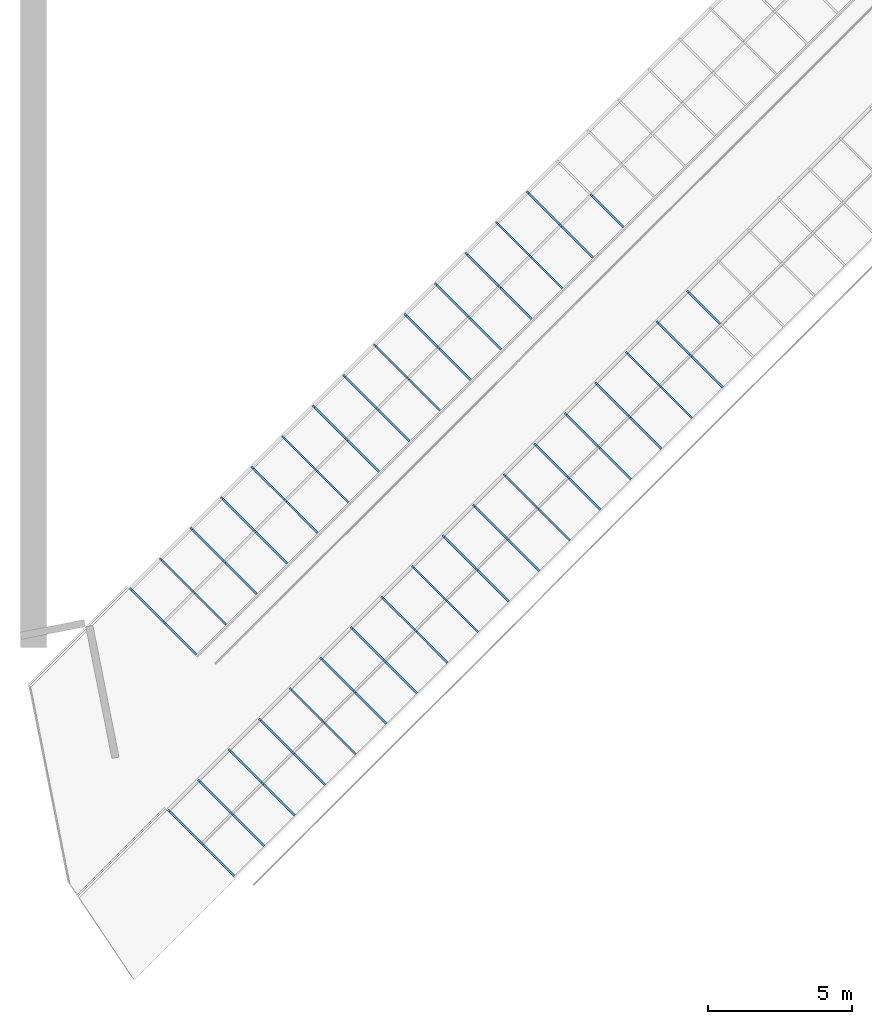
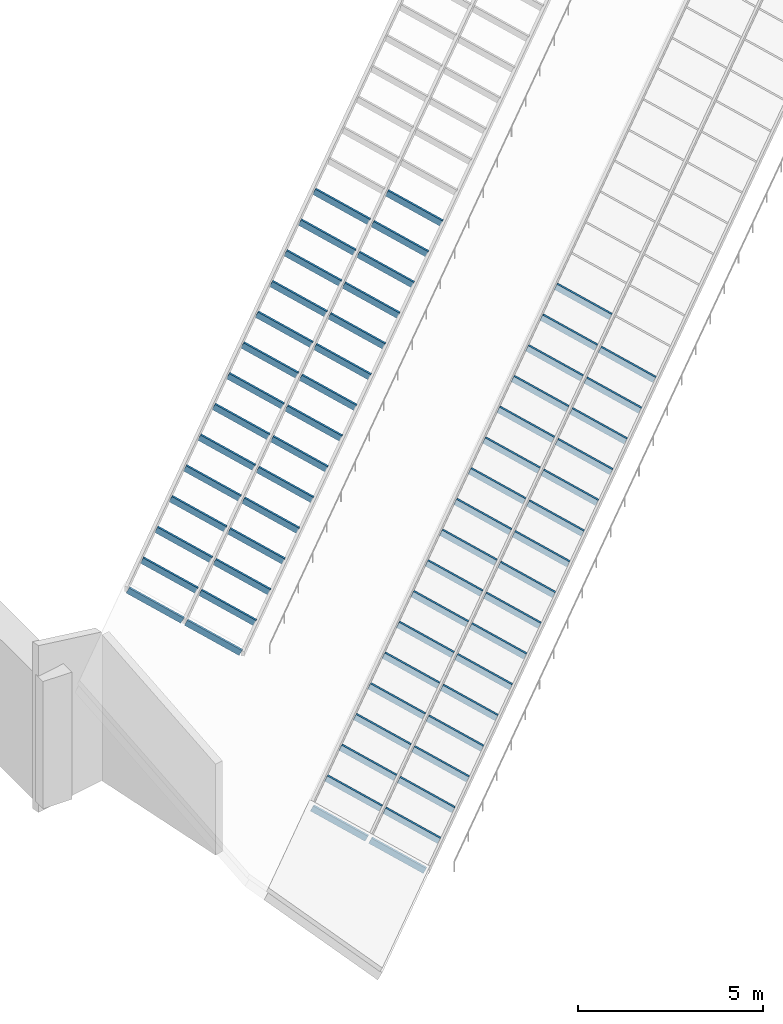
# One storey, part 1 of 7: 64 members, 2 elements without a shape of their own.
"""IFC4 building model written with IfcOpenShell, lengths in metres."""

from ifc_helpers import new_model, si_unit, direction, frame, origin, origin_2d, place, context, subcontext, project, spatial, rectangle, extrude, material, material_profile, profile_set, type_object, element, aggregate, save


model = new_model("IFC4")

# Units and contexts
model_context = context("Model", 3, precision=1e-05, world=origin(), true_north=direction((0.0, 1.0)))
body_context = subcontext(model_context, "Body", "Model", "MODEL_VIEW")
ifc_project = project(units=[si_unit("LENGTHUNIT", "METRE"), si_unit("AREAUNIT", "SQUARE_METRE"), si_unit("VOLUMEUNIT", "CUBIC_METRE"), si_unit("PLANEANGLEUNIT", "RADIAN"), si_unit("MASSUNIT", "GRAM", prefix="KILO")], contexts=[model_context])

# Site, building, storey
site_placement = place(None, origin())
site = spatial("IfcSite", under=ifc_project, at=site_placement, CompositionType="ELEMENT")
building_placement = place(site_placement, origin())
building = spatial("IfcBuilding", under=site, at=building_placement, Name="Hunhe Ridgeline Campus", CompositionType="ELEMENT")
storey_placement = place(building_placement, frame((0.0, 0.0, 315.60009765625)))
storey = spatial("IfcBuildingStorey", under=building, at=storey_placement, Name="L81 Crown", CompositionType="ELEMENT", Elevation=315.60009765625)

# Curtain wall, members
ifc_material = material(Name="Aluminium 6063", Category="aluminium")
curtain_wall_type = type_object("IfcCurtainWallType", Name="Curtain wall CW-6", PredefinedType="NOTDEFINED", material=ifc_material)
curtain_wall_1_placement = place(storey_placement, origin())
curtain_wall_1 = element("IfcCurtainWall", 1, at=curtain_wall_1_placement, inside=storey, type_object=curtain_wall_type, Name="Rooflight 3", PredefinedType="NOTDEFINED")
ifc_material_profile = material_profile(ifc_material, rectangle(XDim=0.070068359375, YDim=0.199951171875, at=origin_2d()))
ifc_profile_set = profile_set([ifc_material_profile], Name="Aluminium 6063")
member_type = type_object("IfcMemberType", Name="CW-6 aluminium mullion", PredefinedType="MULLION", material=ifc_profile_set)
member_1_placement = place(storey_placement, frame((24.325439453125, 62.648681640625, 0.1708984375), z_axis=(-0.639602149067, 0.639602149067, 0.426401432711), x_axis=(-0.707106781187, -0.707106781187, 0.0)))
member_1 = element("IfcMember", 2, at=member_1_placement, type_object=member_type, Name="E-L81 Crown-RL-03/M0-25", PredefinedType="MULLION", context=body_context, shape_type="SweptSolid", body=[
    extrude(rectangle(XDim=0.070068359375, YDim=0.199951171875, at=origin_2d()), origin(), (0.0, 0.0, 1.0), 1.693603515625),
])
member_2_placement = place(storey_placement, frame((23.264892578125, 61.587890625, 0.1708984375), z_axis=(-0.639602149067, 0.639602149067, 0.426401432711), x_axis=(-0.707106781187, -0.707106781187, 0.0)))
member_2 = element("IfcMember", 3, at=member_2_placement, type_object=member_type, Name="E-L81 Crown-RL-03/M0-26", PredefinedType="MULLION", context=body_context, shape_type="SweptSolid", body=[
    extrude(rectangle(XDim=0.070068359375, YDim=0.199951171875, at=origin_2d()), origin(), (0.0, 0.0, 1.0), 1.693603515625),
])
member_3_placement = place(storey_placement, frame((22.2041015625, 60.52734375, 0.1708984375), z_axis=(-0.639602149067, 0.639602149067, 0.426401432711), x_axis=(-0.707106781187, -0.707106781187, 0.0)))
member_3 = element("IfcMember", 4, at=member_3_placement, type_object=member_type, Name="E-L81 Crown-RL-03/M0-27", PredefinedType="MULLION", context=body_context, shape_type="SweptSolid", body=[
    extrude(rectangle(XDim=0.070068359375, YDim=0.199951171875, at=origin_2d()), origin(), (0.0, 0.0, 1.0), 1.693603515625),
])
member_4_placement = place(storey_placement, frame((21.1435546875, 59.466552734375, 0.1708984375), z_axis=(-0.639602149067, 0.639602149067, 0.426401432711), x_axis=(-0.707106781187, -0.707106781187, 0.0)))
member_4 = element("IfcMember", 5, at=member_4_placement, type_object=member_type, Name="E-L81 Crown-RL-03/M0-28", PredefinedType="MULLION", context=body_context, shape_type="SweptSolid", body=[
    extrude(rectangle(XDim=0.070068359375, YDim=0.199951171875, at=origin_2d()), origin(), (0.0, 0.0, 1.0), 1.693603515625),
])
member_5_placement = place(storey_placement, frame((20.0830078125, 58.406005859375, 0.1708984375), z_axis=(-0.639687317978, 0.63954317933, 0.426362119554), x_axis=(-0.707027102695, -0.707186450701, 0.0)))
member_5 = element("IfcMember", 6, at=member_5_placement, type_object=member_type, Name="E-L81 Crown-RL-03/M0-29", PredefinedType="MULLION", context=body_context, shape_type="SweptSolid", body=[
    extrude(rectangle(XDim=0.070068359375, YDim=0.199951171875, at=origin_2d()), origin(), (0.0, 0.0, 1.0), 1.69384765625),
])
member_6_placement = place(storey_placement, frame((19.022216796875, 57.34521484375, 0.1708984375), z_axis=(-0.639602149067, 0.639602149067, 0.426401432711), x_axis=(-0.707106781187, -0.707106781187, 0.0)))
member_6 = element("IfcMember", 7, at=member_6_placement, type_object=member_type, Name="E-L81 Crown-RL-03/M0-30", PredefinedType="MULLION", context=body_context, shape_type="SweptSolid", body=[
    extrude(rectangle(XDim=0.070068359375, YDim=0.199951171875, at=origin_2d()), origin(), (0.0, 0.0, 1.0), 1.693603515625),
])
member_7_placement = place(storey_placement, frame((17.961669921875, 56.28466796875, 0.1708984375), z_axis=(-0.639602149067, 0.639602149067, 0.426401432711), x_axis=(-0.707106781187, -0.707106781187, 0.0)))
member_7 = element("IfcMember", 8, at=member_7_placement, type_object=member_type, Name="E-L81 Crown-RL-03/M0-31", PredefinedType="MULLION", context=body_context, shape_type="SweptSolid", body=[
    extrude(rectangle(XDim=0.070068359375, YDim=0.199951171875, at=origin_2d()), origin(), (0.0, 0.0, 1.0), 1.693603515625),
])
member_8_placement = place(storey_placement, frame((16.90087890625, 55.223876953125, 0.1708984375), z_axis=(-0.639602149067, 0.639602149067, 0.426401432711), x_axis=(-0.707106781187, -0.707106781187, 0.0)))
member_8 = element("IfcMember", 9, at=member_8_placement, type_object=member_type, Name="E-L81 Crown-RL-03/M0-32", PredefinedType="MULLION", context=body_context, shape_type="SweptSolid", body=[
    extrude(rectangle(XDim=0.070068359375, YDim=0.199951171875, at=origin_2d()), origin(), (0.0, 0.0, 1.0), 1.693603515625),
])
member_9_placement = place(storey_placement, frame((15.84033203125, 54.163330078125, 0.1708984375), z_axis=(-0.639602149067, 0.639602149067, 0.426401432711), x_axis=(-0.707106781187, -0.707106781187, 0.0)))
member_9 = element("IfcMember", 10, at=member_9_placement, type_object=member_type, Name="E-L81 Crown-RL-03/M0-33", PredefinedType="MULLION", context=body_context, shape_type="SweptSolid", body=[
    extrude(rectangle(XDim=0.070068359375, YDim=0.199951171875, at=origin_2d()), origin(), (0.0, 0.0, 1.0), 1.693603515625),
])
member_10_placement = place(storey_placement, frame((14.779541015625, 53.1025390625, 0.1708984375), z_axis=(-0.63954317933, 0.639687317978, 0.426362119554), x_axis=(-0.707186450701, -0.707027102695, 0.0)))
member_10 = element("IfcMember", 11, at=member_10_placement, type_object=member_type, Name="E-L81 Crown-RL-03/M0-34", PredefinedType="MULLION", context=body_context, shape_type="SweptSolid", body=[
    extrude(rectangle(XDim=0.070068359375, YDim=0.199951171875, at=origin_2d()), origin(), (0.0, 0.0, 1.0), 1.69384765625),
])
member_11_placement = place(storey_placement, frame((13.718994140625, 52.0419921875, 0.1708984375), z_axis=(-0.639602149067, 0.639602149067, 0.426401432711), x_axis=(-0.707106781187, -0.707106781187, 0.0)))
member_11 = element("IfcMember", 12, at=member_11_placement, type_object=member_type, Name="E-L81 Crown-RL-03/M0-35", PredefinedType="MULLION", context=body_context, shape_type="SweptSolid", body=[
    extrude(rectangle(XDim=0.070068359375, YDim=0.199951171875, at=origin_2d()), origin(), (0.0, 0.0, 1.0), 1.693603515625),
])
member_12_placement = place(storey_placement, frame((12.658203125, 50.9814453125, 0.1708984375), z_axis=(-0.639602149067, 0.639602149067, 0.426401432711), x_axis=(-0.707106781187, -0.707106781187, 0.0)))
member_12 = element("IfcMember", 13, at=member_12_placement, type_object=member_type, Name="E-L81 Crown-RL-03/M0-36", PredefinedType="MULLION", context=body_context, shape_type="SweptSolid", body=[
    extrude(rectangle(XDim=0.070068359375, YDim=0.199951171875, at=origin_2d()), origin(), (0.0, 0.0, 1.0), 1.693603515625),
])
member_13_placement = place(storey_placement, frame((11.59765625, 49.920654296875, 0.1708984375), z_axis=(-0.639602149067, 0.639602149067, 0.426401432711), x_axis=(-0.707106781187, -0.707106781187, 0.0)))
member_13 = element("IfcMember", 14, at=member_13_placement, type_object=member_type, Name="E-L81 Crown-RL-03/M0-37", PredefinedType="MULLION", context=body_context, shape_type="SweptSolid", body=[
    extrude(rectangle(XDim=0.070068359375, YDim=0.199951171875, at=origin_2d()), origin(), (0.0, 0.0, 1.0), 1.693603515625),
])
member_14_placement = place(storey_placement, frame((10.536865234375, 48.860107421875, 0.1708984375), z_axis=(-0.639602149067, 0.639602149067, 0.426401432711), x_axis=(-0.707106781187, -0.707106781187, 0.0)))
member_14 = element("IfcMember", 15, at=member_14_placement, type_object=member_type, Name="E-L81 Crown-RL-03/M0-38", PredefinedType="MULLION", context=body_context, shape_type="SweptSolid", body=[
    extrude(rectangle(XDim=0.070068359375, YDim=0.199951171875, at=origin_2d()), origin(), (0.0, 0.0, 1.0), 1.693603515625),
])
member_15_placement = place(storey_placement, frame((9.476318359375, 47.79931640625, 0.1708984375), z_axis=(-0.639602149067, 0.639602149067, 0.426401432711), x_axis=(-0.707106781187, -0.707106781187, 0.0)))
member_15 = element("IfcMember", 16, at=member_15_placement, type_object=member_type, Name="E-L81 Crown-RL-03/M0-39", PredefinedType="MULLION", context=body_context, shape_type="SweptSolid", body=[
    extrude(rectangle(XDim=0.070068359375, YDim=0.199951171875, at=origin_2d()), origin(), (0.0, 0.0, 1.0), 1.693603515625),
])
member_16_placement = place(storey_placement, frame((8.41552734375, 46.73876953125, 0.1708984375), z_axis=(-0.639602149067, 0.639602149067, 0.426401432711), x_axis=(-0.707106781187, -0.707106781187, 0.0)))
member_16 = element("IfcMember", 17, at=member_16_placement, type_object=member_type, Name="E-L81 Crown-RL-03/M0-40", PredefinedType="MULLION", context=body_context, shape_type="SweptSolid", body=[
    extrude(rectangle(XDim=0.070068359375, YDim=0.199951171875, at=origin_2d()), origin(), (0.0, 0.0, 1.0), 1.693603515625),
])
member_17_placement = place(storey_placement, frame((7.379638671875, 45.702880859375, 0.1708984375), z_axis=(-0.639602149067, 0.639602149067, 0.426401432711), x_axis=(-0.707106781187, -0.707106781187, 0.0)))
member_17 = element("IfcMember", 18, at=member_17_placement, type_object=member_type, Name="E-L81 Crown-RL-03/M0-41", PredefinedType="MULLION", context=body_context, shape_type="SweptSolid", body=[
    extrude(rectangle(XDim=0.070068359375, YDim=0.199951171875, at=origin_2d()), origin(), (0.0, 0.0, 1.0), 1.693603515625),
])
member_18_placement = place(storey_placement, frame((24.232177734375, 64.86328125, 0.9404296875), z_axis=(-0.639602149067, 0.639602149067, 0.426401432711), x_axis=(-0.707106781187, -0.707106781187, 0.0)))
member_18 = element("IfcMember", 19, at=member_18_placement, type_object=member_type, Name="E-L81 Crown-RL-03/M1-24", PredefinedType="MULLION", context=body_context, shape_type="SweptSolid", body=[
    extrude(rectangle(XDim=0.070068359375, YDim=0.199951171875, at=origin_2d()), origin(), (0.0, 0.0, 1.0), 1.693603515625),
])
member_19_placement = place(storey_placement, frame((23.171630859375, 63.802490234375, 0.9404296875), z_axis=(-0.639602149067, 0.639602149067, 0.426401432711), x_axis=(-0.707106781187, -0.707106781187, 0.0)))
member_19 = element("IfcMember", 20, at=member_19_placement, type_object=member_type, Name="E-L81 Crown-RL-03/M1-25", PredefinedType="MULLION", context=body_context, shape_type="SweptSolid", body=[
    extrude(rectangle(XDim=0.070068359375, YDim=0.199951171875, at=origin_2d()), origin(), (0.0, 0.0, 1.0), 1.693603515625),
])
member_20_placement = place(storey_placement, frame((22.11083984375, 62.741943359375, 0.9404296875), z_axis=(-0.639602149067, 0.639602149067, 0.426401432711), x_axis=(-0.707106781187, -0.707106781187, 0.0)))
member_20 = element("IfcMember", 21, at=member_20_placement, type_object=member_type, Name="E-L81 Crown-RL-03/M1-26", PredefinedType="MULLION", context=body_context, shape_type="SweptSolid", body=[
    extrude(rectangle(XDim=0.070068359375, YDim=0.199951171875, at=origin_2d()), origin(), (0.0, 0.0, 1.0), 1.693603515625),
])
member_21_placement = place(storey_placement, frame((21.05029296875, 61.68115234375, 0.9404296875), z_axis=(-0.63954317933, 0.639687317978, 0.426362119554), x_axis=(-0.707186450701, -0.707027102695, 0.0)))
member_21 = element("IfcMember", 22, at=member_21_placement, type_object=member_type, Name="E-L81 Crown-RL-03/M1-27", PredefinedType="MULLION", context=body_context, shape_type="SweptSolid", body=[
    extrude(rectangle(XDim=0.070068359375, YDim=0.199951171875, at=origin_2d()), origin(), (0.0, 0.0, 1.0), 1.69384765625),
])
member_22_placement = place(storey_placement, frame((19.989501953125, 60.62060546875, 0.9404296875), z_axis=(-0.639602149067, 0.639602149067, 0.426401432711), x_axis=(-0.707106781187, -0.707106781187, 0.0)))
member_22 = element("IfcMember", 23, at=member_22_placement, type_object=member_type, Name="E-L81 Crown-RL-03/M1-28", PredefinedType="MULLION", context=body_context, shape_type="SweptSolid", body=[
    extrude(rectangle(XDim=0.070068359375, YDim=0.199951171875, at=origin_2d()), origin(), (0.0, 0.0, 1.0), 1.693603515625),
])
member_23_placement = place(storey_placement, frame((18.928955078125, 59.559814453125, 0.9404296875), z_axis=(-0.63954317933, 0.639687317978, 0.426362119554), x_axis=(-0.707186450701, -0.707027102695, 0.0)))
member_23 = element("IfcMember", 24, at=member_23_placement, type_object=member_type, Name="E-L81 Crown-RL-03/M1-29", PredefinedType="MULLION", context=body_context, shape_type="SweptSolid", body=[
    extrude(rectangle(XDim=0.070068359375, YDim=0.199951171875, at=origin_2d()), origin(), (0.0, 0.0, 1.0), 1.69384765625),
])
member_24_placement = place(storey_placement, frame((17.8681640625, 58.499267578125, 0.9404296875), z_axis=(-0.639602149067, 0.639602149067, 0.426401432711), x_axis=(-0.707106781187, -0.707106781187, 0.0)))
member_24 = element("IfcMember", 25, at=member_24_placement, type_object=member_type, Name="E-L81 Crown-RL-03/M1-30", PredefinedType="MULLION", context=body_context, shape_type="SweptSolid", body=[
    extrude(rectangle(XDim=0.070068359375, YDim=0.199951171875, at=origin_2d()), origin(), (0.0, 0.0, 1.0), 1.693603515625),
])
member_25_placement = place(storey_placement, frame((16.8076171875, 57.438720703125, 0.9404296875), z_axis=(-0.639602149067, 0.639602149067, 0.426401432711), x_axis=(-0.707106781187, -0.707106781187, 0.0)))
member_25 = element("IfcMember", 26, at=member_25_placement, type_object=member_type, Name="E-L81 Crown-RL-03/M1-31", PredefinedType="MULLION", context=body_context, shape_type="SweptSolid", body=[
    extrude(rectangle(XDim=0.070068359375, YDim=0.199951171875, at=origin_2d()), origin(), (0.0, 0.0, 1.0), 1.693603515625),
])
member_26_placement = place(storey_placement, frame((15.746826171875, 56.3779296875, 0.9404296875), z_axis=(-0.639602149067, 0.639602149067, 0.426401432711), x_axis=(-0.707106781187, -0.707106781187, 0.0)))
member_26 = element("IfcMember", 27, at=member_26_placement, type_object=member_type, Name="E-L81 Crown-RL-03/M1-32", PredefinedType="MULLION", context=body_context, shape_type="SweptSolid", body=[
    extrude(rectangle(XDim=0.070068359375, YDim=0.199951171875, at=origin_2d()), origin(), (0.0, 0.0, 1.0), 1.693603515625),
])
member_27_placement = place(storey_placement, frame((14.686279296875, 55.3173828125, 0.9404296875), z_axis=(-0.639602149067, 0.639602149067, 0.426401432711), x_axis=(-0.707106781187, -0.707106781187, 0.0)))
member_27 = element("IfcMember", 28, at=member_27_placement, type_object=member_type, Name="E-L81 Crown-RL-03/M1-33", PredefinedType="MULLION", context=body_context, shape_type="SweptSolid", body=[
    extrude(rectangle(XDim=0.070068359375, YDim=0.199951171875, at=origin_2d()), origin(), (0.0, 0.0, 1.0), 1.693603515625),
])
member_28_placement = place(storey_placement, frame((13.625732421875, 54.256591796875, 0.9404296875), z_axis=(-0.639687317978, 0.63954317933, 0.426362119554), x_axis=(-0.707027102695, -0.707186450701, 0.0)))
member_28 = element("IfcMember", 29, at=member_28_placement, type_object=member_type, Name="E-L81 Crown-RL-03/M1-34", PredefinedType="MULLION", context=body_context, shape_type="SweptSolid", body=[
    extrude(rectangle(XDim=0.070068359375, YDim=0.199951171875, at=origin_2d()), origin(), (0.0, 0.0, 1.0), 1.69384765625),
])
member_29_placement = place(storey_placement, frame((12.56494140625, 53.196044921875, 0.9404296875), z_axis=(-0.639602149067, 0.639602149067, 0.426401432711), x_axis=(-0.707106781187, -0.707106781187, 0.0)))
member_29 = element("IfcMember", 30, at=member_29_placement, type_object=member_type, Name="E-L81 Crown-RL-03/M1-35", PredefinedType="MULLION", context=body_context, shape_type="SweptSolid", body=[
    extrude(rectangle(XDim=0.070068359375, YDim=0.199951171875, at=origin_2d()), origin(), (0.0, 0.0, 1.0), 1.693603515625),
])
member_30_placement = place(storey_placement, frame((11.50439453125, 52.13525390625, 0.9404296875), z_axis=(-0.639687317978, 0.63954317933, 0.426362119554), x_axis=(-0.707027102695, -0.707186450701, 0.0)))
member_30 = element("IfcMember", 31, at=member_30_placement, type_object=member_type, Name="E-L81 Crown-RL-03/M1-36", PredefinedType="MULLION", context=body_context, shape_type="SweptSolid", body=[
    extrude(rectangle(XDim=0.070068359375, YDim=0.199951171875, at=origin_2d()), origin(), (0.0, 0.0, 1.0), 1.69384765625),
])
member_31_placement = place(storey_placement, frame((10.443603515625, 51.07470703125, 0.9404296875), z_axis=(-0.639602149067, 0.639602149067, 0.426401432711), x_axis=(-0.707106781187, -0.707106781187, 0.0)))
member_31 = element("IfcMember", 32, at=member_31_placement, type_object=member_type, Name="E-L81 Crown-RL-03/M1-37", PredefinedType="MULLION", context=body_context, shape_type="SweptSolid", body=[
    extrude(rectangle(XDim=0.070068359375, YDim=0.199951171875, at=origin_2d()), origin(), (0.0, 0.0, 1.0), 1.693603515625),
])
member_32_placement = place(storey_placement, frame((9.383056640625, 50.013916015625, 0.9404296875), z_axis=(-0.639602149067, 0.639602149067, 0.426401432711), x_axis=(-0.707106781187, -0.707106781187, 0.0)))
member_32 = element("IfcMember", 33, at=member_32_placement, type_object=member_type, Name="E-L81 Crown-RL-03/M1-38", PredefinedType="MULLION", context=body_context, shape_type="SweptSolid", body=[
    extrude(rectangle(XDim=0.070068359375, YDim=0.199951171875, at=origin_2d()), origin(), (0.0, 0.0, 1.0), 1.693603515625),
])
member_33_placement = place(storey_placement, frame((8.322265625, 48.953369140625, 0.9404296875), z_axis=(-0.639602149067, 0.639602149067, 0.426401432711), x_axis=(-0.707106781187, -0.707106781187, 0.0)))
member_33 = element("IfcMember", 34, at=member_33_placement, type_object=member_type, Name="E-L81 Crown-RL-03/M1-39", PredefinedType="MULLION", context=body_context, shape_type="SweptSolid", body=[
    extrude(rectangle(XDim=0.070068359375, YDim=0.199951171875, at=origin_2d()), origin(), (0.0, 0.0, 1.0), 1.693603515625),
])
member_34_placement = place(storey_placement, frame((7.26171875, 47.892578125, 0.9404296875), z_axis=(-0.639602149067, 0.639602149067, 0.426401432711), x_axis=(-0.707106781187, -0.707106781187, 0.0)))
member_34 = element("IfcMember", 35, at=member_34_placement, type_object=member_type, Name="E-L81 Crown-RL-03/M1-40", PredefinedType="MULLION", context=body_context, shape_type="SweptSolid", body=[
    extrude(rectangle(XDim=0.070068359375, YDim=0.199951171875, at=origin_2d()), origin(), (0.0, 0.0, 1.0), 1.693603515625),
])
member_35_placement = place(storey_placement, frame((6.225830078125, 46.856689453125, 0.9404296875), z_axis=(-0.639602149067, 0.639602149067, 0.426401432711), x_axis=(-0.707106781187, -0.707106781187, 0.0)))
member_35 = element("IfcMember", 36, at=member_35_placement, type_object=member_type, Name="E-L81 Crown-RL-03/M1-41", PredefinedType="MULLION", context=body_context, shape_type="SweptSolid", body=[
    extrude(rectangle(XDim=0.070068359375, YDim=0.199951171875, at=origin_2d()), origin(), (0.0, 0.0, 1.0), 1.693603515625),
])
aggregate(curtain_wall_1, [member_1, member_2, member_3, member_4, member_5, member_6, member_7, member_8, member_9, member_10, member_11, member_12, member_13, member_14, member_15, member_16, member_17, member_18, member_19, member_20, member_21, member_22, member_23, member_24, member_25, member_26, member_27, member_28, member_29, member_30, member_31, member_32, member_33, member_34, member_35])

curtain_wall_2_placement = place(storey_placement, origin())
curtain_wall_2 = element("IfcCurtainWall", 37, at=curtain_wall_2_placement, inside=storey, type_object=curtain_wall_type, Name="Rooflight 4", PredefinedType="NOTDEFINED")
member_36_placement = place(storey_placement, frame((20.88623046875, 68.209228515625, 3.171142578125), z_axis=(-0.639602149067, 0.639602149067, 0.426401432711), x_axis=(-0.707106781187, -0.707106781187, 0.0)))
member_36 = element("IfcMember", 38, at=member_36_placement, type_object=member_type, Name="E-L81 Crown-RL-04/M0-25", PredefinedType="MULLION", context=body_context, shape_type="SweptSolid", body=[
    extrude(rectangle(XDim=0.070068359375, YDim=0.199951171875, at=origin_2d()), origin(), (0.0, 0.0, 1.0), 1.693603515625),
])
member_37_placement = place(storey_placement, frame((19.825439453125, 67.148681640625, 3.171142578125), z_axis=(-0.639602149067, 0.639602149067, 0.426401432711), x_axis=(-0.707106781187, -0.707106781187, 0.0)))
member_37 = element("IfcMember", 39, at=member_37_placement, type_object=member_type, Name="E-L81 Crown-RL-04/M0-26", PredefinedType="MULLION", context=body_context, shape_type="SweptSolid", body=[
    extrude(rectangle(XDim=0.070068359375, YDim=0.199951171875, at=origin_2d()), origin(), (0.0, 0.0, 1.0), 1.693603515625),
])
member_38_placement = place(storey_placement, frame((18.764892578125, 66.087890625, 3.171142578125), z_axis=(-0.639602149067, 0.639602149067, 0.426401432711), x_axis=(-0.707106781187, -0.707106781187, 0.0)))
member_38 = element("IfcMember", 40, at=member_38_placement, type_object=member_type, Name="E-L81 Crown-RL-04/M0-27", PredefinedType="MULLION", context=body_context, shape_type="SweptSolid", body=[
    extrude(rectangle(XDim=0.070068359375, YDim=0.199951171875, at=origin_2d()), origin(), (0.0, 0.0, 1.0), 1.693603515625),
])
member_39_placement = place(storey_placement, frame((17.7041015625, 65.02734375, 3.171142578125), z_axis=(-0.639602149067, 0.639602149067, 0.426401432711), x_axis=(-0.707106781187, -0.707106781187, 0.0)))
member_39 = element("IfcMember", 41, at=member_39_placement, type_object=member_type, Name="E-L81 Crown-RL-04/M0-28", PredefinedType="MULLION", context=body_context, shape_type="SweptSolid", body=[
    extrude(rectangle(XDim=0.070068359375, YDim=0.199951171875, at=origin_2d()), origin(), (0.0, 0.0, 1.0), 1.693603515625),
])
member_40_placement = place(storey_placement, frame((16.6435546875, 63.966552734375, 3.171142578125), z_axis=(-0.639602149067, 0.639602149067, 0.426401432711), x_axis=(-0.707106781187, -0.707106781187, 0.0)))
member_40 = element("IfcMember", 42, at=member_40_placement, type_object=member_type, Name="E-L81 Crown-RL-04/M0-29", PredefinedType="MULLION", context=body_context, shape_type="SweptSolid", body=[
    extrude(rectangle(XDim=0.070068359375, YDim=0.199951171875, at=origin_2d()), origin(), (0.0, 0.0, 1.0), 1.693603515625),
])
member_41_placement = place(storey_placement, frame((15.5830078125, 62.906005859375, 3.171142578125), z_axis=(-0.639687317978, 0.63954317933, 0.426362119554), x_axis=(-0.707027102695, -0.707186450701, 0.0)))
member_41 = element("IfcMember", 43, at=member_41_placement, type_object=member_type, Name="E-L81 Crown-RL-04/M0-30", PredefinedType="MULLION", context=body_context, shape_type="SweptSolid", body=[
    extrude(rectangle(XDim=0.070068359375, YDim=0.199951171875, at=origin_2d()), origin(), (0.0, 0.0, 1.0), 1.69384765625),
])
member_42_placement = place(storey_placement, frame((14.522216796875, 61.84521484375, 3.171142578125), z_axis=(-0.639602149067, 0.639602149067, 0.426401432711), x_axis=(-0.707106781187, -0.707106781187, 0.0)))
member_42 = element("IfcMember", 44, at=member_42_placement, type_object=member_type, Name="E-L81 Crown-RL-04/M0-31", PredefinedType="MULLION", context=body_context, shape_type="SweptSolid", body=[
    extrude(rectangle(XDim=0.070068359375, YDim=0.199951171875, at=origin_2d()), origin(), (0.0, 0.0, 1.0), 1.693603515625),
])
member_43_placement = place(storey_placement, frame((13.461669921875, 60.78466796875, 3.171142578125), z_axis=(-0.639602149067, 0.639602149067, 0.426401432711), x_axis=(-0.707106781187, -0.707106781187, 0.0)))
member_43 = element("IfcMember", 45, at=member_43_placement, type_object=member_type, Name="E-L81 Crown-RL-04/M0-32", PredefinedType="MULLION", context=body_context, shape_type="SweptSolid", body=[
    extrude(rectangle(XDim=0.070068359375, YDim=0.199951171875, at=origin_2d()), origin(), (0.0, 0.0, 1.0), 1.693603515625),
])
member_44_placement = place(storey_placement, frame((12.40087890625, 59.723876953125, 3.171142578125), z_axis=(-0.639602149067, 0.639602149067, 0.426401432711), x_axis=(-0.707106781187, -0.707106781187, 0.0)))
member_44 = element("IfcMember", 46, at=member_44_placement, type_object=member_type, Name="E-L81 Crown-RL-04/M0-33", PredefinedType="MULLION", context=body_context, shape_type="SweptSolid", body=[
    extrude(rectangle(XDim=0.070068359375, YDim=0.199951171875, at=origin_2d()), origin(), (0.0, 0.0, 1.0), 1.693603515625),
])
member_45_placement = place(storey_placement, frame((11.34033203125, 58.663330078125, 3.171142578125), z_axis=(-0.639602149067, 0.639602149067, 0.426401432711), x_axis=(-0.707106781187, -0.707106781187, 0.0)))
member_45 = element("IfcMember", 47, at=member_45_placement, type_object=member_type, Name="E-L81 Crown-RL-04/M0-34", PredefinedType="MULLION", context=body_context, shape_type="SweptSolid", body=[
    extrude(rectangle(XDim=0.070068359375, YDim=0.199951171875, at=origin_2d()), origin(), (0.0, 0.0, 1.0), 1.693603515625),
])
member_46_placement = place(storey_placement, frame((10.279541015625, 57.6025390625, 3.171142578125), z_axis=(-0.63954317933, 0.639687317978, 0.426362119554), x_axis=(-0.707186450701, -0.707027102695, 0.0)))
member_46 = element("IfcMember", 48, at=member_46_placement, type_object=member_type, Name="E-L81 Crown-RL-04/M0-35", PredefinedType="MULLION", context=body_context, shape_type="SweptSolid", body=[
    extrude(rectangle(XDim=0.070068359375, YDim=0.199951171875, at=origin_2d()), origin(), (0.0, 0.0, 1.0), 1.69384765625),
])
member_47_placement = place(storey_placement, frame((9.218994140625, 56.5419921875, 3.171142578125), z_axis=(-0.639602149067, 0.639602149067, 0.426401432711), x_axis=(-0.707106781187, -0.707106781187, 0.0)))
member_47 = element("IfcMember", 49, at=member_47_placement, type_object=member_type, Name="E-L81 Crown-RL-04/M0-36", PredefinedType="MULLION", context=body_context, shape_type="SweptSolid", body=[
    extrude(rectangle(XDim=0.070068359375, YDim=0.199951171875, at=origin_2d()), origin(), (0.0, 0.0, 1.0), 1.693603515625),
])
member_48_placement = place(storey_placement, frame((8.158203125, 55.4814453125, 3.171142578125), z_axis=(-0.639602149067, 0.639602149067, 0.426401432711), x_axis=(-0.707106781187, -0.707106781187, 0.0)))
member_48 = element("IfcMember", 50, at=member_48_placement, type_object=member_type, Name="E-L81 Crown-RL-04/M0-37", PredefinedType="MULLION", context=body_context, shape_type="SweptSolid", body=[
    extrude(rectangle(XDim=0.070068359375, YDim=0.199951171875, at=origin_2d()), origin(), (0.0, 0.0, 1.0), 1.693603515625),
])
member_49_placement = place(storey_placement, frame((7.09765625, 54.420654296875, 3.171142578125), z_axis=(-0.639602149067, 0.639602149067, 0.426401432711), x_axis=(-0.707106781187, -0.707106781187, 0.0)))
member_49 = element("IfcMember", 51, at=member_49_placement, type_object=member_type, Name="E-L81 Crown-RL-04/M0-38", PredefinedType="MULLION", context=body_context, shape_type="SweptSolid", body=[
    extrude(rectangle(XDim=0.070068359375, YDim=0.199951171875, at=origin_2d()), origin(), (0.0, 0.0, 1.0), 1.693603515625),
])
member_50_placement = place(storey_placement, frame((6.061767578125, 53.384765625, 3.171142578125), z_axis=(-0.639602149067, 0.639602149067, 0.426401432711), x_axis=(-0.707106781187, -0.707106781187, 0.0)))
member_50 = element("IfcMember", 52, at=member_50_placement, type_object=member_type, Name="E-L81 Crown-RL-04/M0-39", PredefinedType="MULLION", context=body_context, shape_type="SweptSolid", body=[
    extrude(rectangle(XDim=0.070068359375, YDim=0.199951171875, at=origin_2d()), origin(), (0.0, 0.0, 1.0), 1.693603515625),
])
member_51_placement = place(storey_placement, frame((18.671630859375, 68.302490234375, 3.9404296875), z_axis=(-0.639602149067, 0.639602149067, 0.426401432711), x_axis=(-0.707106781187, -0.707106781187, 0.0)))
member_51 = element("IfcMember", 53, at=member_51_placement, type_object=member_type, Name="E-L81 Crown-RL-04/M1-26", PredefinedType="MULLION", context=body_context, shape_type="SweptSolid", body=[
    extrude(rectangle(XDim=0.070068359375, YDim=0.199951171875, at=origin_2d()), origin(), (0.0, 0.0, 1.0), 1.693603515625),
])
member_52_placement = place(storey_placement, frame((17.61083984375, 67.241943359375, 3.9404296875), z_axis=(-0.639602149067, 0.639602149067, 0.426401432711), x_axis=(-0.707106781187, -0.707106781187, 0.0)))
member_52 = element("IfcMember", 54, at=member_52_placement, type_object=member_type, Name="E-L81 Crown-RL-04/M1-27", PredefinedType="MULLION", context=body_context, shape_type="SweptSolid", body=[
    extrude(rectangle(XDim=0.070068359375, YDim=0.199951171875, at=origin_2d()), origin(), (0.0, 0.0, 1.0), 1.693603515625),
])
member_53_placement = place(storey_placement, frame((16.55029296875, 66.18115234375, 3.9404296875), z_axis=(-0.63954317933, 0.639687317978, 0.426362119554), x_axis=(-0.707186450701, -0.707027102695, 0.0)))
member_53 = element("IfcMember", 55, at=member_53_placement, type_object=member_type, Name="E-L81 Crown-RL-04/M1-28", PredefinedType="MULLION", context=body_context, shape_type="SweptSolid", body=[
    extrude(rectangle(XDim=0.070068359375, YDim=0.199951171875, at=origin_2d()), origin(), (0.0, 0.0, 1.0), 1.69384765625),
])
member_54_placement = place(storey_placement, frame((15.489501953125, 65.12060546875, 3.9404296875), z_axis=(-0.639602149067, 0.639602149067, 0.426401432711), x_axis=(-0.707106781187, -0.707106781187, 0.0)))
member_54 = element("IfcMember", 56, at=member_54_placement, type_object=member_type, Name="E-L81 Crown-RL-04/M1-29", PredefinedType="MULLION", context=body_context, shape_type="SweptSolid", body=[
    extrude(rectangle(XDim=0.070068359375, YDim=0.199951171875, at=origin_2d()), origin(), (0.0, 0.0, 1.0), 1.693603515625),
])
member_55_placement = place(storey_placement, frame((14.428955078125, 64.059814453125, 3.9404296875), z_axis=(-0.63954317933, 0.639687317978, 0.426362119554), x_axis=(-0.707186450701, -0.707027102695, 0.0)))
member_55 = element("IfcMember", 57, at=member_55_placement, type_object=member_type, Name="E-L81 Crown-RL-04/M1-30", PredefinedType="MULLION", context=body_context, shape_type="SweptSolid", body=[
    extrude(rectangle(XDim=0.070068359375, YDim=0.199951171875, at=origin_2d()), origin(), (0.0, 0.0, 1.0), 1.69384765625),
])
member_56_placement = place(storey_placement, frame((13.3681640625, 62.999267578125, 3.9404296875), z_axis=(-0.639602149067, 0.639602149067, 0.426401432711), x_axis=(-0.707106781187, -0.707106781187, 0.0)))
member_56 = element("IfcMember", 58, at=member_56_placement, type_object=member_type, Name="E-L81 Crown-RL-04/M1-31", PredefinedType="MULLION", context=body_context, shape_type="SweptSolid", body=[
    extrude(rectangle(XDim=0.070068359375, YDim=0.199951171875, at=origin_2d()), origin(), (0.0, 0.0, 1.0), 1.693603515625),
])
member_57_placement = place(storey_placement, frame((12.3076171875, 61.938720703125, 3.9404296875), z_axis=(-0.639602149067, 0.639602149067, 0.426401432711), x_axis=(-0.707106781187, -0.707106781187, 0.0)))
member_57 = element("IfcMember", 59, at=member_57_placement, type_object=member_type, Name="E-L81 Crown-RL-04/M1-32", PredefinedType="MULLION", context=body_context, shape_type="SweptSolid", body=[
    extrude(rectangle(XDim=0.070068359375, YDim=0.199951171875, at=origin_2d()), origin(), (0.0, 0.0, 1.0), 1.693603515625),
])
member_58_placement = place(storey_placement, frame((11.246826171875, 60.8779296875, 3.9404296875), z_axis=(-0.639602149067, 0.639602149067, 0.426401432711), x_axis=(-0.707106781187, -0.707106781187, 0.0)))
member_58 = element("IfcMember", 60, at=member_58_placement, type_object=member_type, Name="E-L81 Crown-RL-04/M1-33", PredefinedType="MULLION", context=body_context, shape_type="SweptSolid", body=[
    extrude(rectangle(XDim=0.070068359375, YDim=0.199951171875, at=origin_2d()), origin(), (0.0, 0.0, 1.0), 1.693603515625),
])
member_59_placement = place(storey_placement, frame((10.186279296875, 59.8173828125, 3.9404296875), z_axis=(-0.639602149067, 0.639602149067, 0.426401432711), x_axis=(-0.707106781187, -0.707106781187, 0.0)))
member_59 = element("IfcMember", 61, at=member_59_placement, type_object=member_type, Name="E-L81 Crown-RL-04/M1-34", PredefinedType="MULLION", context=body_context, shape_type="SweptSolid", body=[
    extrude(rectangle(XDim=0.070068359375, YDim=0.199951171875, at=origin_2d()), origin(), (0.0, 0.0, 1.0), 1.693603515625),
])
member_60_placement = place(storey_placement, frame((9.125732421875, 58.756591796875, 3.9404296875), z_axis=(-0.639687317978, 0.63954317933, 0.426362119554), x_axis=(-0.707027102695, -0.707186450701, 0.0)))
member_60 = element("IfcMember", 62, at=member_60_placement, type_object=member_type, Name="E-L81 Crown-RL-04/M1-35", PredefinedType="MULLION", context=body_context, shape_type="SweptSolid", body=[
    extrude(rectangle(XDim=0.070068359375, YDim=0.199951171875, at=origin_2d()), origin(), (0.0, 0.0, 1.0), 1.69384765625),
])
member_61_placement = place(storey_placement, frame((8.06494140625, 57.696044921875, 3.9404296875), z_axis=(-0.639602149067, 0.639602149067, 0.426401432711), x_axis=(-0.707106781187, -0.707106781187, 0.0)))
member_61 = element("IfcMember", 63, at=member_61_placement, type_object=member_type, Name="E-L81 Crown-RL-04/M1-36", PredefinedType="MULLION", context=body_context, shape_type="SweptSolid", body=[
    extrude(rectangle(XDim=0.070068359375, YDim=0.199951171875, at=origin_2d()), origin(), (0.0, 0.0, 1.0), 1.693603515625),
])
member_62_placement = place(storey_placement, frame((7.00439453125, 56.63525390625, 3.9404296875), z_axis=(-0.639687317978, 0.63954317933, 0.426362119554), x_axis=(-0.707027102695, -0.707186450701, 0.0)))
member_62 = element("IfcMember", 64, at=member_62_placement, type_object=member_type, Name="E-L81 Crown-RL-04/M1-37", PredefinedType="MULLION", context=body_context, shape_type="SweptSolid", body=[
    extrude(rectangle(XDim=0.070068359375, YDim=0.199951171875, at=origin_2d()), origin(), (0.0, 0.0, 1.0), 1.69384765625),
])
member_63_placement = place(storey_placement, frame((5.943603515625, 55.57470703125, 3.9404296875), z_axis=(-0.639602149067, 0.639602149067, 0.426401432711), x_axis=(-0.707106781187, -0.707106781187, 0.0)))
member_63 = element("IfcMember", 65, at=member_63_placement, type_object=member_type, Name="E-L81 Crown-RL-04/M1-38", PredefinedType="MULLION", context=body_context, shape_type="SweptSolid", body=[
    extrude(rectangle(XDim=0.070068359375, YDim=0.199951171875, at=origin_2d()), origin(), (0.0, 0.0, 1.0), 1.693603515625),
])
member_64_placement = place(storey_placement, frame((4.90771484375, 54.538818359375, 3.9404296875), z_axis=(-0.639602149067, 0.639602149067, 0.426401432711), x_axis=(-0.707106781187, -0.707106781187, 0.0)))
member_64 = element("IfcMember", 66, at=member_64_placement, type_object=member_type, Name="E-L81 Crown-RL-04/M1-39", PredefinedType="MULLION", context=body_context, shape_type="SweptSolid", body=[
    extrude(rectangle(XDim=0.070068359375, YDim=0.199951171875, at=origin_2d()), origin(), (0.0, 0.0, 1.0), 1.693603515625),
])
aggregate(curtain_wall_2, [member_36, member_37, member_38, member_39, member_40, member_41, member_42, member_43, member_44, member_45, member_46, member_47, member_48, member_49, member_50, member_51, member_52, member_53, member_54, member_55, member_56, member_57, member_58, member_59, member_60, member_61, member_62, member_63, member_64])

save(model, "model.ifc")
